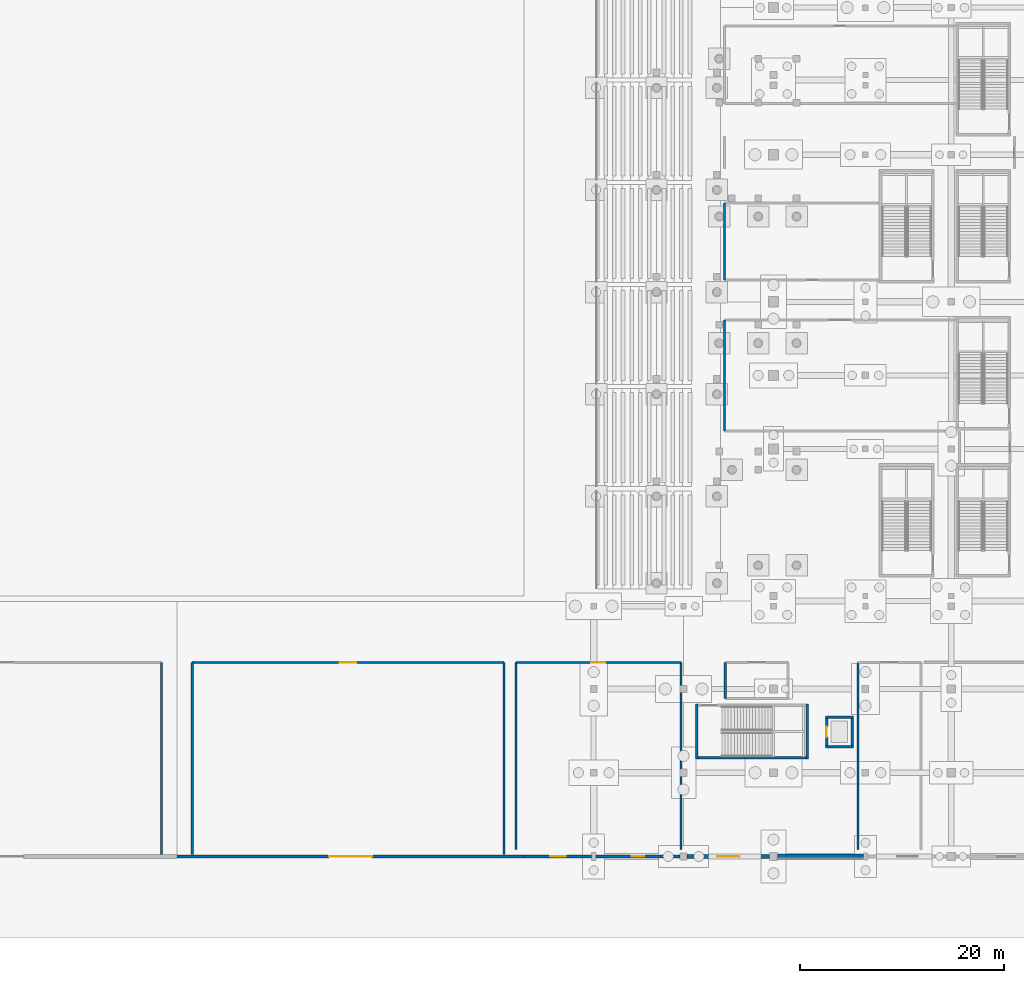
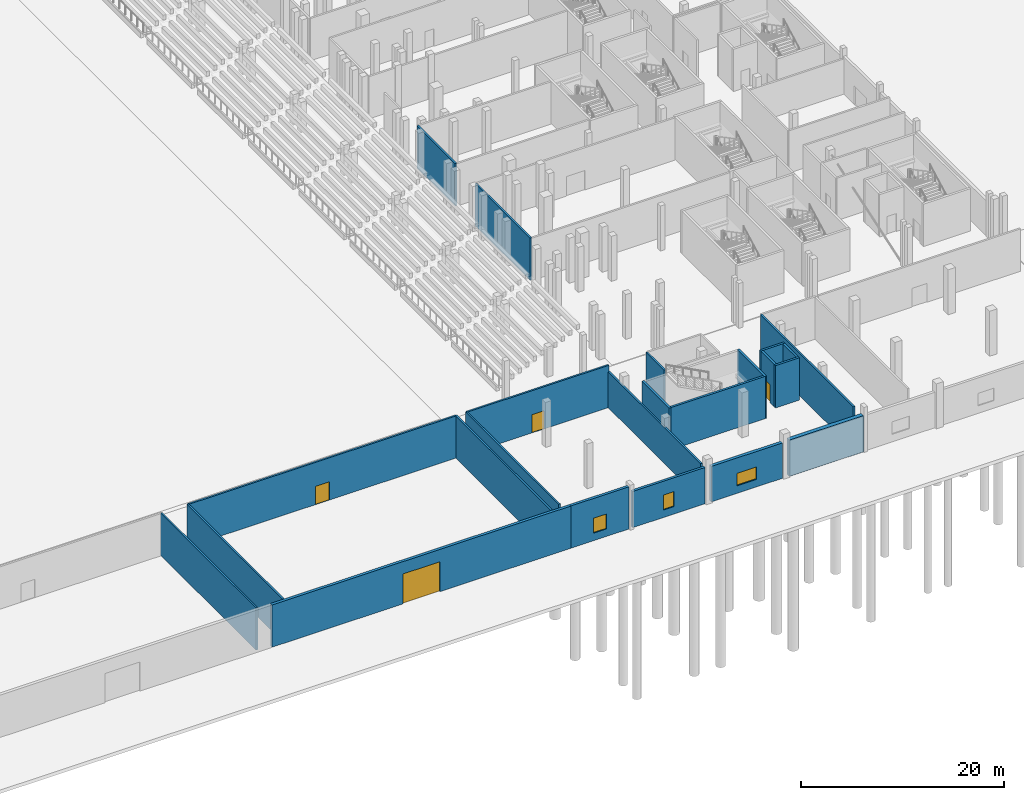
# One storey, part 40 of 89: 23 walls, 4 doors, 3 windows, 7 openings.
"""IFC4 building model written with IfcOpenShell, lengths in metres."""

from ifc_helpers import new_model, si_unit, direction, frame, frame_2d, origin, place, context, subcontext, project, spatial, rectangle, extrude, material, layer, layer_set, type_object, element, fill, save


model = new_model("IFC4")

# Units and contexts
model_context = context("Model", 3, precision=1e-05, world=origin(), true_north=direction((0.0, 1.0)))
body_context = subcontext(model_context, "Body", "Model", "MODEL_VIEW")
ifc_project = project(units=[si_unit("LENGTHUNIT", "METRE"), si_unit("AREAUNIT", "SQUARE_METRE"), si_unit("VOLUMEUNIT", "CUBIC_METRE"), si_unit("PLANEANGLEUNIT", "RADIAN"), si_unit("MASSUNIT", "GRAM", prefix="KILO")], contexts=[model_context])

# Site, building, storey
site_placement = place(None, origin())
site = spatial("IfcSite", under=ifc_project, at=site_placement, CompositionType="ELEMENT")
building_placement = place(site_placement, origin())
building = spatial("IfcBuilding", under=site, at=building_placement, Name="Koshinbarg Plaza Stadium", CompositionType="ELEMENT")
storey_placement = place(building_placement, origin())
storey = spatial("IfcBuildingStorey", under=building, at=storey_placement, Name="L00", CompositionType="ELEMENT", Elevation=0.0)

# Walls
ifc_material_1 = material(Name="Concrete C40/50", Category="concrete")
ifc_layer_1 = layer(ifc_material_1, 0.25)
ifc_layer_set_1 = layer_set([ifc_layer_1], Name="Concrete C40/50")
wall_type_1 = type_object("IfcWallType", Name="WL-CORE-250", PredefinedType="SHEAR", material=ifc_layer_set_1)
for number, where, z_axis, x_axis, name in (
    (1, (172.875, 14.919921875, 0.0), (0.0, 0.0, 1.0), (0.0, -1.0, 0.0), "L00 core stair shear wall C14-near IWL-L00-0310"),
    (2, (183.72509765625, 9.550048828125, 0.0), (0.0, 0.0, 1.0), (0.0, 1.0, 0.0), "L00 core stair shear wall C14-far IWL-L00-0311"),
):
    element("IfcWall", number, at=place(storey_placement, frame(where, z_axis=z_axis, x_axis=x_axis)), inside=storey, type_object=wall_type_1, Name=name, PredefinedType="SHEAR", context=body_context, shape_type="SweptSolid", body=[
        extrude(rectangle(XDim=5.369873046875, YDim=0.25, at=frame_2d((2.68505859375, 0.0))), origin(), (0.0, 0.0, 1.0), 5.080078125),
    ])
wall_1_placement = place(storey_placement, frame((172.875, 9.675048828125, 0.0), z_axis=(0.0, 0.0, 1.0), x_axis=(1.0, 0.0, 0.0)))
element("IfcWall", 3, at=wall_1_placement, inside=storey, type_object=wall_type_1, Name="L00 core stair shear wall C14-right IWL-L00-0313", PredefinedType="SHEAR", context=body_context, shape_type="SweptSolid", body=[
    extrude(rectangle(XDim=10.85009765625, YDim=0.25, at=frame_2d((5.425048828125, 0.0))), origin(), (0.0, 0.0, 1.0), 5.080078125),
])
for number, where, z_axis, x_axis, name in (
    (4, (185.47509765625, 10.75, 0.0), (0.0, 0.0, 1.0), (1.0, 0.0, 0.0), "L00 lift shaft shear wall LP10-S IWL-L00-1010"),
    (5, (188.22509765625, 13.64990234375, 0.0), (0.0, 0.0, 1.0), (-1.0, 0.0, 0.0), "L00 lift shaft shear wall LP10-N IWL-L00-1011"),
):
    element("IfcWall", number, at=place(storey_placement, frame(where, z_axis=z_axis, x_axis=x_axis)), inside=storey, type_object=wall_type_1, Name=name, PredefinedType="SHEAR", context=body_context, shape_type="SweptSolid", body=[
        extrude(rectangle(XDim=2.75, YDim=0.25, at=frame_2d((1.375, 0.0))), origin(), (0.0, 0.0, 1.0), 5.080078125),
    ])

# Wall, opening, door
wall_2_placement = place(storey_placement, frame((185.60009765625, 13.64990234375, 0.0), z_axis=(0.0, 0.0, 1.0), x_axis=(0.0, -1.0, 0.0)))
wall_2 = element("IfcWall", 6, at=wall_2_placement, inside=storey, type_object=wall_type_1, Name="L00 lift shaft shear wall LP10-W IWL-L00-1012", PredefinedType="SHEAR", context=body_context, shape_type="SweptSolid", body=[
    extrude(rectangle(XDim=2.89990234375, YDim=0.25, at=frame_2d((1.449951171875, 0.0))), origin(), (0.0, 0.0, 1.0), 5.080078125),
])
opening_1_placement = place(wall_2_placement, frame((0.925048828125, 0.0, 0.0)))
opening_1 = element("IfcOpeningElement", 7, at=opening_1_placement, cuts=wall_2, Name="Opening D-0322", PredefinedType="OPENING", context=body_context, shape_type="SweptSolid", body=[
    extrude(rectangle(XDim=1.050048828125, YDim=2.14990234375, at=frame_2d((0.52490234375, 1.074951171875))), frame((0.0, 0.135009765625, 0.0), z_axis=(0.0, -1.0, 0.0), x_axis=(1.0, 0.0, 0.0)), (0.0, 0.0, 1.0), 0.27001953125),
])
ifc_material_2 = material(Name="Brushed stainless steel sliding lift landing door", Category="steel")
door_type_1 = type_object("IfcDoorType", Name="DR-LIFT-1050", OperationType="NOTDEFINED", PredefinedType="DOOR", material=ifc_material_2)
door_1_placement = place(opening_1_placement, origin())
door_1 = element("IfcDoor", 8, at=door_1_placement, inside=storey, type_object=door_type_1, Name="L00 lift landing door LP10", OperationType="SLIDING_TO_LEFT", OverallHeight=2.14990234375, OverallWidth=1.050048828125, PredefinedType="DOOR", context=body_context, shape_type="SweptSolid", body=[
    extrude(rectangle(XDim=1.050048828125, YDim=2.14990234375, at=frame_2d((0.52490234375, 1.074951171875))), frame((0.0, 0.02490234375, 0.0), z_axis=(0.0, -1.0, 0.0), x_axis=(1.0, 0.0, 0.0)), (0.0, 0.0, 1.0), 0.050048828125),
])
fill(opening_1, door_1)

# Wall
wall_3_placement = place(storey_placement, frame((188.10009765625, 10.75, 0.0), z_axis=(0.0, 0.0, 1.0), x_axis=(0.0, 1.0, 0.0)))
element("IfcWall", 9, at=wall_3_placement, inside=storey, type_object=wall_type_1, Name="L00 lift shaft shear wall LP10-E IWL-L00-1013", PredefinedType="SHEAR", context=body_context, shape_type="SweptSolid", body=[
    extrude(rectangle(XDim=2.89990234375, YDim=0.25, at=frame_2d((1.449951171875, 0.0))), origin(), (0.0, 0.0, 1.0), 5.080078125),
])

# Wall, opening, window
ifc_material_3 = material(Name="Terracotta-ochre mineral plaster insulated wall", Category="masonry")
ifc_layer_2 = layer(ifc_material_3, 0.280029296875)
ifc_layer_set_2 = layer_set([ifc_layer_2], Name="Terracotta-ochre mineral plaster insulated wall")
wall_type_2 = type_object("IfcWallType", Name="WL-EXT-280", PredefinedType="SOLIDWALL", material=ifc_layer_set_2)
wall_4_placement = place(storey_placement, frame((171.2548828125, 0.0, 0.0), z_axis=(0.0, 0.0, 1.0), x_axis=(-1.0, 0.0, 0.0)))
wall_4 = element("IfcWall", 10, at=wall_4_placement, inside=storey, type_object=wall_type_2, Name="L00 exterior envelope wall EWL-L00-0060", PredefinedType="SOLIDWALL", context=body_context, shape_type="SweptSolid", body=[
    extrude(rectangle(XDim=8.23486328125, YDim=0.280029296875, at=frame_2d((4.117431640625, 0.0))), origin(), (0.0, 0.0, 1.0), 4.360107421875),
])
opening_2_placement = place(wall_4_placement, frame((3.517578125, 0.0, 0.89990234375)))
opening_2 = element("IfcOpeningElement", 11, at=opening_2_placement, cuts=wall_4, Name="Opening WN07", PredefinedType="OPENING", context=body_context, shape_type="SweptSolid", body=[
    extrude(rectangle(XDim=1.199951171875, YDim=1.800048828125, at=frame_2d((0.60009765625, 0.89990234375))), frame((0.0, 0.14990234375, 0.0), z_axis=(0.0, -1.0, 0.0), x_axis=(1.0, 0.0, 0.0)), (0.0, 0.0, 1.0), 0.300048828125),
])
ifc_material_4 = material(Name="Solar-control double glazing in thermally broken aluminium frame", Category="aluminium")
window_type_1 = type_object("IfcWindowType", Name="WN-FAC-07", PartitioningType="DOUBLE_PANEL_VERTICAL", PredefinedType="WINDOW", material=ifc_material_4)
window_1_placement = place(opening_2_placement, origin())
window_1 = element("IfcWindow", 12, at=window_1_placement, inside=storey, type_object=window_type_1, Name="L00 facade window 0006", OverallHeight=1.800048828125, OverallWidth=1.199951171875, PartitioningType="SINGLE_PANEL", PredefinedType="WINDOW", context=body_context, shape_type="SweptSolid", body=[
    extrude(rectangle(XDim=1.199951171875, YDim=1.800048828125, at=frame_2d((0.60009765625, 0.89990234375))), frame((0.0, 0.030029296875, 0.0), z_axis=(0.0, -1.0, 0.0), x_axis=(1.0, 0.0, 0.0)), (0.0, 0.0, 1.0), 0.06005859375),
])
fill(opening_2, window_1)

ifc_material_5 = material(Name="Off-white mineral plaster insulated wall", Category="masonry")
ifc_layer_3 = layer(ifc_material_5, 0.300048828125)
ifc_layer_set_3 = layer_set([ifc_layer_3], Name="Off-white mineral plaster insulated wall")
wall_type_3 = type_object("IfcWallType", Name="WL-EXT-300", PredefinedType="SOLIDWALL", material=ifc_layer_set_3)
wall_5_placement = place(storey_placement, frame((162.580078125, 0.0, 0.0), z_axis=(0.0, 0.0, 1.0), x_axis=(-1.0, 0.0, 0.0)))
wall_5 = element("IfcWall", 13, at=wall_5_placement, inside=storey, type_object=wall_type_3, Name="L00 exterior envelope wall EWL-L00-0061", PredefinedType="SOLIDWALL", context=body_context, shape_type="SweptSolid", body=[
    extrude(rectangle(XDim=6.580078125, YDim=0.300048828125, at=frame_2d((3.2900390625, 0.0))), origin(), (0.0, 0.0, 1.0), 5.080078125),
])
opening_3_placement = place(wall_5_placement, frame((2.5400390625, 0.0, 0.89990234375)))
opening_3 = element("IfcOpeningElement", 14, at=opening_3_placement, cuts=wall_5, Name="Opening WN08", PredefinedType="OPENING", context=body_context, shape_type="SweptSolid", body=[
    extrude(rectangle(XDim=1.5, YDim=1.800048828125, at=frame_2d((0.75, 0.89990234375))), frame((0.0, 0.159912109375, 0.0), z_axis=(0.0, -1.0, 0.0), x_axis=(1.0, 0.0, 0.0)), (0.0, 0.0, 1.0), 0.320068359375),
])
window_type_2 = type_object("IfcWindowType", Name="WN-FAC-08", PartitioningType="DOUBLE_PANEL_VERTICAL", PredefinedType="WINDOW", material=ifc_material_4)
window_2_placement = place(opening_3_placement, origin())
window_2 = element("IfcWindow", 15, at=window_2_placement, inside=storey, type_object=window_type_2, Name="L00 facade window 0007", OverallHeight=1.800048828125, OverallWidth=1.5, PartitioningType="SINGLE_PANEL", PredefinedType="WINDOW", context=body_context, shape_type="SweptSolid", body=[
    extrude(rectangle(XDim=1.5, YDim=1.800048828125, at=frame_2d((0.75, 0.89990234375))), frame((0.0, 0.030029296875, 0.0), z_axis=(0.0, -1.0, 0.0), x_axis=(1.0, 0.0, 0.0)), (0.0, 0.0, 1.0), 0.06005859375),
])
fill(opening_3, window_2)

# Wall, opening, door
ifc_material_6 = material(Name="Ultramarine-blue pigmented mineral plaster facade wall", Category="masonry")
ifc_layer_4 = layer(ifc_material_6, 0.320068359375)
ifc_layer_set_4 = layer_set([ifc_layer_4], Name="Ultramarine-blue pigmented mineral plaster facade wall")
wall_type_4 = type_object("IfcWallType", Name="WL-EXT-320", PredefinedType="SOLIDWALL", material=ifc_layer_set_4)
wall_6_placement = place(storey_placement, frame((156.0, 0.0, 0.0), z_axis=(0.0, 0.0, 1.0), x_axis=(-1.0, 0.0, 0.0)))
wall_6 = element("IfcWall", 16, at=wall_6_placement, inside=storey, type_object=wall_type_4, Name="L00 exterior envelope wall EWL-L00-0062", PredefinedType="SOLIDWALL", context=body_context, shape_type="SweptSolid", body=[
    extrude(rectangle(XDim=34.0, YDim=0.320068359375, at=frame_2d((17.0, 0.0))), origin(), (0.0, 0.0, 1.0), 5.080078125),
])
opening_4_placement = place(wall_6_placement, frame((14.89990234375, 0.0, 0.0)))
opening_4 = element("IfcOpeningElement", 17, at=opening_4_placement, cuts=wall_6, Name="Opening D-0054", PredefinedType="OPENING", context=body_context, shape_type="SweptSolid", body=[
    extrude(rectangle(XDim=4.199951171875, YDim=3.60009765625, at=frame_2d((2.10009765625, 1.800048828125))), frame((0.0, 0.169921875, 0.0), z_axis=(0.0, -1.0, 0.0), x_axis=(1.0, 0.0, 0.0)), (0.0, 0.0, 1.0), 0.340087890625),
])
ifc_material_7 = material(Name="Galvanized steel acoustic roller shutter", Category="steel")
door_type_2 = type_object("IfcDoorType", Name="DR-SHUT-4200", OperationType="NOTDEFINED", PredefinedType="DOOR", material=ifc_material_7)
door_2_placement = place(opening_4_placement, origin())
door_2 = element("IfcDoor", 18, at=door_2_placement, inside=storey, type_object=door_type_2, Name="Stadium service loading shutter VG01", OperationType="ROLLINGUP", OverallHeight=3.60009765625, OverallWidth=4.199951171875, PredefinedType="DOOR", context=body_context, shape_type="SweptSolid", body=[
    extrude(rectangle(XDim=4.199951171875, YDim=3.60009765625, at=frame_2d((2.10009765625, 1.800048828125))), frame((0.0, 0.02490234375, 0.0), z_axis=(0.0, -1.0, 0.0), x_axis=(1.0, 0.0, 0.0)), (0.0, 0.0, 1.0), 0.050048828125),
])
fill(opening_4, door_2)

# Wall, opening, window
ifc_material_8 = material(Name="Acoustic insulated masonry stadium wall", Category="masonry")
ifc_layer_5 = layer(ifc_material_8, 0.35009765625)
ifc_layer_set_5 = layer_set([ifc_layer_5], Name="Acoustic insulated masonry stadium wall")
wall_type_5 = type_object("IfcWallType", Name="WL-EXT-350", PredefinedType="SOLIDWALL", material=ifc_layer_set_5)
wall_7_placement = place(storey_placement, frame((180.030029296875, 0.0, 0.0), z_axis=(0.0, 0.0, 1.0), x_axis=(-1.0, 0.0, 0.0)))
wall_7 = element("IfcWall", 19, at=wall_7_placement, inside=storey, type_object=wall_type_5, Name="L00 exterior envelope wall EWL-L00-0059", PredefinedType="SOLIDWALL", context=body_context, shape_type="SweptSolid", body=[
    extrude(rectangle(XDim=8.0849609375, YDim=0.35009765625, at=frame_2d((4.04248046875, 0.0))), origin(), (0.0, 0.0, 1.0), 4.260009765625),
])
opening_5_placement = place(wall_7_placement, frame((2.9423828125, 0.0, 0.89990234375)))
opening_5 = element("IfcOpeningElement", 20, at=opening_5_placement, cuts=wall_7, Name="Opening WN06", PredefinedType="OPENING", context=body_context, shape_type="SweptSolid", body=[
    extrude(rectangle(XDim=2.199951171875, YDim=1.5, at=frame_2d((1.10009765625, 0.75))), frame((0.0, 0.18505859375, 0.0), z_axis=(0.0, -1.0, 0.0), x_axis=(1.0, 0.0, 0.0)), (0.0, 0.0, 1.0), 0.3701171875),
])
window_type_3 = type_object("IfcWindowType", Name="WN-FAC-06", PartitioningType="DOUBLE_PANEL_VERTICAL", PredefinedType="WINDOW", material=ifc_material_4)
window_3_placement = place(opening_5_placement, origin())
window_3 = element("IfcWindow", 21, at=window_3_placement, inside=storey, type_object=window_type_3, Name="L00 facade window 0005", OverallHeight=1.5, OverallWidth=2.199951171875, PartitioningType="SINGLE_PANEL", PredefinedType="WINDOW", context=body_context, shape_type="SweptSolid", body=[
    extrude(rectangle(XDim=2.199951171875, YDim=1.5, at=frame_2d((1.10009765625, 0.75))), frame((0.0, 0.030029296875, 0.0), z_axis=(0.0, -1.0, 0.0), x_axis=(1.0, 0.0, 0.0)), (0.0, 0.0, 1.0), 0.06005859375),
])
fill(opening_5, window_3)

# Walls
ifc_material_9 = material(Name="Autoclaved aerated blockwork fire partition", Category="masonry")
ifc_layer_6 = layer(ifc_material_9, 0.199951171875)
ifc_layer_set_6 = layer_set([ifc_layer_6], Name="Autoclaved aerated blockwork fire partition")
wall_type_6 = type_object("IfcWallType", Name="WL-PART-200", PredefinedType="PARTITIONING", material=ifc_layer_set_6)
for number, where, z_axis, x_axis, name in (
    (22, (120.5, 0.199951171875, 0.0), (0.0, 0.0, 1.0), (0.0, 1.0, 0.0), "L00 interior partition L00-67-east IWL-L00-1056"),
    (23, (154.0, 0.199951171875, 0.0), (0.0, 0.0, 1.0), (0.0, 1.0, 0.0), "L00 interior partition L00-68-east IWL-L00-1059"),
):
    element("IfcWall", number, at=place(storey_placement, frame(where, z_axis=z_axis, x_axis=x_axis)), inside=storey, type_object=wall_type_6, Name=name, PredefinedType="PARTITIONING", context=body_context, shape_type="SweptSolid", body=[
        extrude(rectangle(XDim=18.800048828125, YDim=0.199951171875, at=frame_2d((9.39990234375, 0.0))), origin(), (0.0, 0.0, 1.0), 5.080078125),
    ])

# Wall, opening, door
wall_8_placement = place(storey_placement, frame((154.0, 19.0, 0.0), z_axis=(0.0, 0.0, 1.0), x_axis=(-1.0, 0.0, 0.0)))
wall_8 = element("IfcWall", 24, at=wall_8_placement, inside=storey, type_object=wall_type_6, Name="L00 interior partition L00-68-north IWL-L00-1060", PredefinedType="PARTITIONING", context=body_context, shape_type="SweptSolid", body=[
    extrude(rectangle(XDim=30.5, YDim=0.199951171875, at=frame_2d((15.25, 0.0))), origin(), (0.0, 0.0, 1.0), 5.080078125),
])
opening_6_placement = place(wall_8_placement, frame((14.449951171875, 0.0, 0.0)))
opening_6 = element("IfcOpeningElement", 25, at=opening_6_placement, cuts=wall_8, Name="Opening D-0337", PredefinedType="OPENING", context=body_context, shape_type="SweptSolid", body=[
    extrude(rectangle(XDim=1.60009765625, YDim=2.199951171875, at=frame_2d((0.800048828125, 1.10009765625))), frame((0.0, 0.10986328125, 0.0), z_axis=(0.0, -1.0, 0.0), x_axis=(1.0, 0.0, 0.0)), (0.0, 0.0, 1.0), 0.219970703125),
])
ifc_material_10 = material(Name="Double acoustic steel plant fire door", Category="steel")
door_type_3 = type_object("IfcDoorType", Name="DR-PLANT-1600", OperationType="NOTDEFINED", PredefinedType="DOOR", material=ifc_material_10)
door_3_placement = place(opening_6_placement, origin())
door_3 = element("IfcDoor", 26, at=door_3_placement, inside=storey, type_object=door_type_3, Name="L00 Field Maintenance Service Bay door D-0337", OperationType="DOUBLE_DOOR_SINGLE_SWING", OverallHeight=2.199951171875, OverallWidth=1.60009765625, PredefinedType="DOOR", context=body_context, shape_type="SweptSolid", body=[
    extrude(rectangle(XDim=1.60009765625, YDim=2.199951171875, at=frame_2d((0.800048828125, 1.10009765625))), frame((0.0, 0.02490234375, 0.0), z_axis=(0.0, -1.0, 0.0), x_axis=(1.0, 0.0, 0.0)), (0.0, 0.0, 1.0), 0.050048828125),
])
fill(opening_6, door_3)

# Walls
wall_9_placement = place(storey_placement, frame((123.5, 19.0, 0.0), z_axis=(0.0, 0.0, 1.0), x_axis=(0.0, -1.0, 0.0)))
element("IfcWall", 27, at=wall_9_placement, inside=storey, type_object=wall_type_6, Name="L00 interior partition L00-68-west IWL-L00-1061", PredefinedType="PARTITIONING", context=body_context, shape_type="SweptSolid", body=[
    extrude(rectangle(XDim=18.800048828125, YDim=0.199951171875, at=frame_2d((9.39990234375, 0.0))), origin(), (0.0, 0.0, 1.0), 5.080078125),
])
wall_10_placement = place(storey_placement, frame((175.60009765625, 52.52001953125, 0.0), z_axis=(0.0, 0.0, 1.0), x_axis=(0.0, -1.0, 0.0)))
element("IfcWall", 28, at=wall_10_placement, inside=storey, type_object=wall_type_6, Name="L00 interior partition L00-95-west IWL-L00-1131", PredefinedType="PARTITIONING", context=body_context, shape_type="SweptSolid", body=[
    extrude(rectangle(XDim=10.85009765625, YDim=0.199951171875, at=frame_2d((5.425048828125, 0.0))), origin(), (0.0, 0.0, 1.0), 5.080078125),
])
wall_11_placement = place(storey_placement, frame((175.60009765625, 63.98046875, 0.0), z_axis=(0.0, 0.0, 1.0), x_axis=(0.0, -1.0, 0.0)))
element("IfcWall", 29, at=wall_11_placement, inside=storey, type_object=wall_type_6, Name="L00 interior partition L00-99-west IWL-L00-1142", PredefinedType="PARTITIONING", context=body_context, shape_type="SweptSolid", body=[
    extrude(rectangle(XDim=7.550537109375, YDim=0.199951171875, at=frame_2d((3.775390625, 0.0))), origin(), (0.0, 0.0, 1.0), 5.080078125),
])
wall_12_placement = place(storey_placement, frame((171.330078125, 0.699951171875, 0.0), z_axis=(0.0, 0.0, 1.0), x_axis=(0.0, 1.0, 0.0)))
element("IfcWall", 30, at=wall_12_placement, inside=storey, type_object=wall_type_6, Name="L00 interior partition L00-140-east IWL-L00-1251", PredefinedType="PARTITIONING", context=body_context, shape_type="SweptSolid", body=[
    extrude(rectangle(XDim=18.300048828125, YDim=0.199951171875, at=frame_2d((9.14990234375, 0.0))), origin(), (0.0, 0.0, 1.0), 4.31005859375),
])

# Wall, opening, door
wall_13_placement = place(storey_placement, frame((171.330078125, 19.0, 0.0), z_axis=(0.0, 0.0, 1.0), x_axis=(-1.0, 0.0, 0.0)))
wall_13 = element("IfcWall", 31, at=wall_13_placement, inside=storey, type_object=wall_type_6, Name="L00 interior partition L00-140-north IWL-L00-1252", PredefinedType="PARTITIONING", context=body_context, shape_type="SweptSolid", body=[
    extrude(rectangle(XDim=16.1533203125, YDim=0.199951171875, at=frame_2d((8.07666015625, 0.0))), origin(), (0.0, 0.0, 1.0), 5.080078125),
])
opening_7_placement = place(wall_13_placement, frame((7.376708984375, 0.0, 0.0)))
opening_7 = element("IfcOpeningElement", 32, at=opening_7_placement, cuts=wall_13, Name="Opening D-0409", PredefinedType="OPENING", context=body_context, shape_type="SweptSolid", body=[
    extrude(rectangle(XDim=1.39990234375, YDim=2.199951171875, at=frame_2d((0.699951171875, 1.10009765625))), frame((0.0, 0.10986328125, 0.0), z_axis=(0.0, -1.0, 0.0), x_axis=(1.0, 0.0, 0.0)), (0.0, 0.0, 1.0), 0.219970703125),
])
ifc_material_11 = material(Name="Stainless-clad solid-core timber double fire door", Category="wood")
door_type_4 = type_object("IfcDoorType", Name="DR-INT-1400x2200", OperationType="NOTDEFINED", PredefinedType="DOOR", material=ifc_material_11)
door_4_placement = place(opening_7_placement, origin())
door_4 = element("IfcDoor", 33, at=door_4_placement, inside=storey, type_object=door_type_4, Name="L00 Indoor Athlete Warmup Hall door D-0409", OperationType="DOUBLE_DOOR_SINGLE_SWING", OverallHeight=2.199951171875, OverallWidth=1.39990234375, PredefinedType="DOOR", context=body_context, shape_type="SweptSolid", body=[
    extrude(rectangle(XDim=1.39990234375, YDim=2.199951171875, at=frame_2d((0.699951171875, 1.10009765625))), frame((0.0, 0.02490234375, 0.0), z_axis=(0.0, -1.0, 0.0), x_axis=(1.0, 0.0, 0.0)), (0.0, 0.0, 1.0), 0.050048828125),
])
fill(opening_7, door_4)

# Walls
for number, where, z_axis, x_axis, name in (
    (34, (155.1767578125, 19.0, 0.0), (0.0, 0.0, 1.0), (0.0, -1.0, 0.0), "L00 interior partition L00-140-west IWL-L00-1253"),
    (35, (188.679931640625, 19.0, 0.0), (0.0, 0.0, 1.0), (0.0, -1.0, 0.0), "L00 interior partition L00-141-west IWL-L00-1256"),
):
    element("IfcWall", number, at=place(storey_placement, frame(where, z_axis=z_axis, x_axis=x_axis)), inside=storey, type_object=wall_type_6, Name=name, PredefinedType="PARTITIONING", context=body_context, shape_type="SweptSolid", body=[
        extrude(rectangle(XDim=18.300048828125, YDim=0.199951171875, at=frame_2d((9.14990234375, 0.0))), origin(), (0.0, 0.0, 1.0), 5.080078125),
    ])
wall_14_placement = place(storey_placement, frame((175.679931640625, 19.0, 0.0), z_axis=(0.0, 0.0, 1.0), x_axis=(0.0, -1.0, 0.0)))
element("IfcWall", 36, at=wall_14_placement, inside=storey, type_object=wall_type_6, Name="L00 interior partition L00-142-west IWL-L00-1260", PredefinedType="PARTITIONING", context=body_context, shape_type="SweptSolid", body=[
    extrude(rectangle(XDim=3.550048828125, YDim=0.199951171875, at=frame_2d((1.77490234375, 0.0))), origin(), (0.0, 0.0, 1.0), 5.080078125),
])
ifc_layer_7 = layer(ifc_material_1, 0.449951171875)
ifc_layer_set_7 = layer_set([ifc_layer_7], Name="Concrete C40/50")
wall_type_7 = type_object("IfcWallType", Name="WL-PYLON-450", PredefinedType="SHEAR", material=ifc_layer_set_7)
wall_15_placement = place(storey_placement, frame((189.205078125, 0.0, 0.0), z_axis=(0.0, 0.0, 1.0), x_axis=(-1.0, 0.0, 0.0)))
element("IfcWall", 37, at=wall_15_placement, inside=storey, type_object=wall_type_7, Name="L00 exterior shear pylon wall EWL-L00-0058", PredefinedType="SHEAR", context=body_context, shape_type="SweptSolid", body=[
    extrude(rectangle(XDim=8.43505859375, YDim=0.449951171875, at=frame_2d((4.217529296875, 0.0))), origin(), (0.0, 0.0, 1.0), 4.360107421875),
])

save(model, "model.ifc")
